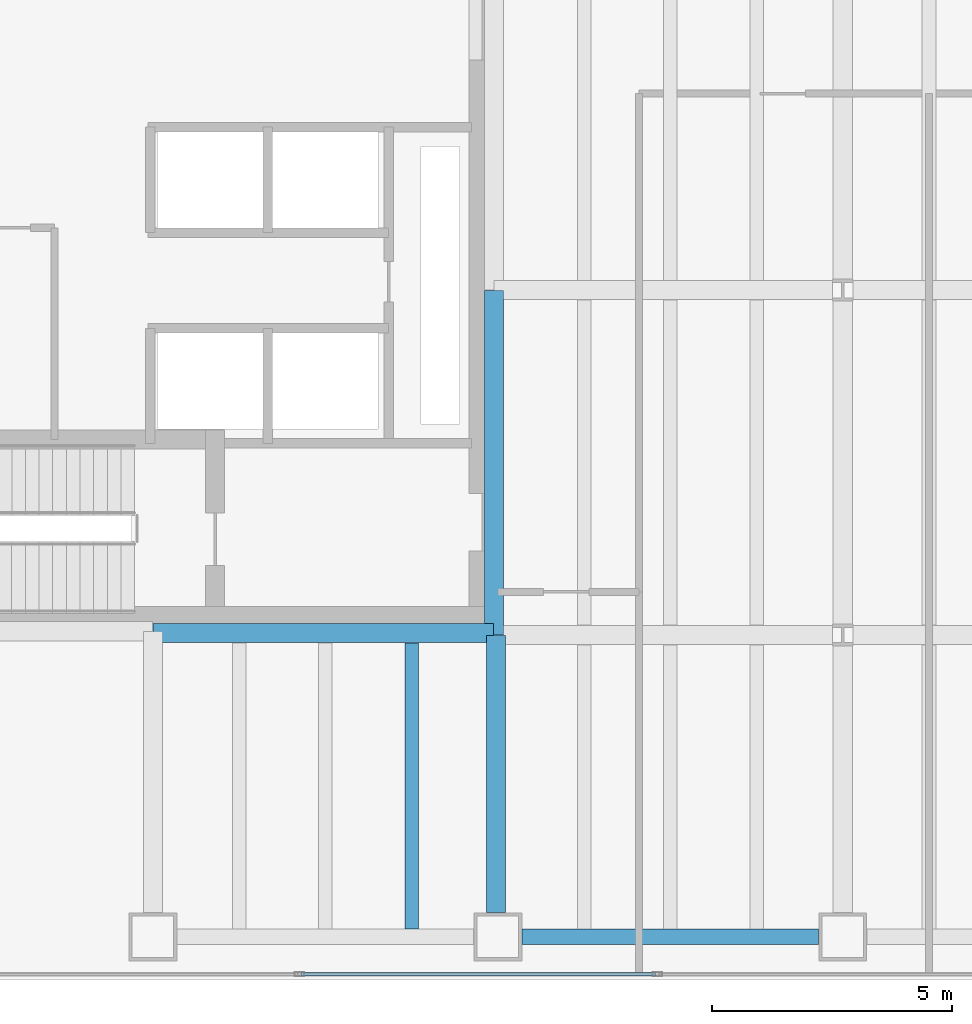
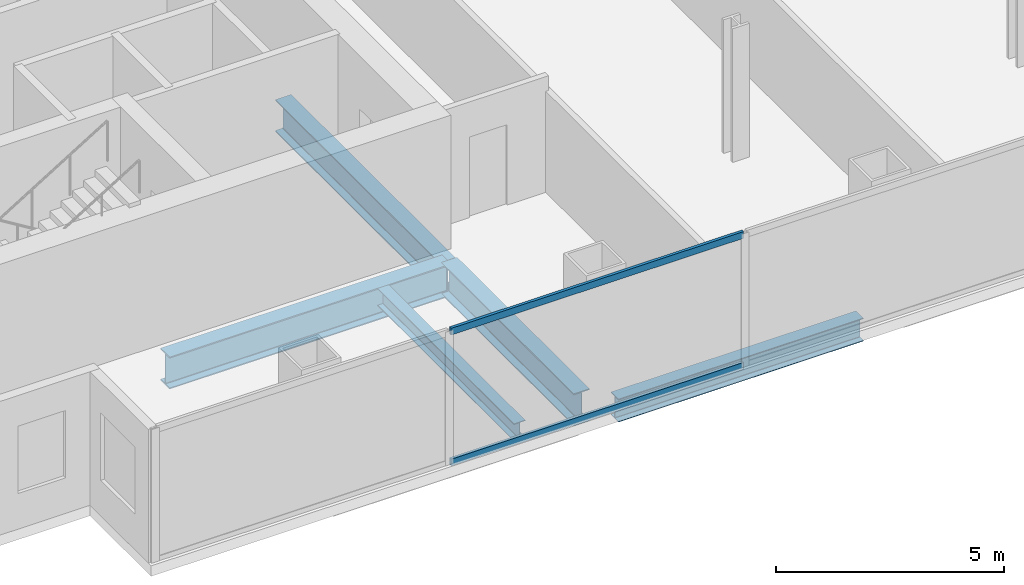
# One storey, part 3 of 23: 5 beams, 2 members, 1 element without a shape of its own.
"""IFC4 building model written with IfcOpenShell, lengths in metres."""

from ifc_helpers import new_model, si_unit, direction, frame, origin, origin_2d, place, context, subcontext, project, spatial, hollow_rectangle, i_section, extrude, material, material_profile, profile_set, type_object, element, aggregate, save


model = new_model("IFC4")

# Units and contexts
model_context = context("Model", 3, precision=1e-05, world=origin(), true_north=direction((0.0, 1.0)))
body_context = subcontext(model_context, "Body", "Model", "MODEL_VIEW")
ifc_project = project(units=[si_unit("LENGTHUNIT", "METRE"), si_unit("AREAUNIT", "SQUARE_METRE"), si_unit("VOLUMEUNIT", "CUBIC_METRE"), si_unit("PLANEANGLEUNIT", "RADIAN"), si_unit("MASSUNIT", "GRAM", prefix="KILO")], contexts=[model_context])

# Site, building, storey
site_placement = place(None, origin())
site = spatial("IfcSite", under=ifc_project, at=site_placement, CompositionType="ELEMENT")
building_placement = place(site_placement, origin())
building = spatial("IfcBuilding", under=site, at=building_placement, Name="Cobrela Telecom Tower", CompositionType="ELEMENT")
storey_placement = place(building_placement, frame((0.0, 0.0, 50.39990234375)))
storey = spatial("IfcBuildingStorey", under=building, at=storey_placement, Name="L12", CompositionType="ELEMENT", Elevation=50.39990234375)

# Beams
ifc_material_1 = material(Name="Steel ASTM A992 Grade 50", Category="steel")
ifc_material_profile_1 = material_profile(ifc_material_1, i_section(OverallWidth=0.39892578125, OverallDepth=0.85595703125, WebThickness=0.018310546875, FlangeThickness=0.029296875, FilletRadius=0.02001953125, at=origin_2d()), Name="W33X201")
ifc_profile_set_1 = profile_set([ifc_material_profile_1], Name="Steel ASTM A992 Grade 50")
beam_type_1 = type_object("IfcBeamType", Name="BM-GIRD-03", PredefinedType="USERDEFINED", material=ifc_profile_set_1)
beam_1_placement = place(storey_placement, frame((7.205078125, 7.239990234375, -0.7080078125), z_axis=(1.0, 0.0, 0.0), x_axis=(0.0, 1.0, 0.0)))
element("IfcBeam", 1, at=beam_1_placement, inside=storey, type_object=beam_type_1, Name="L12 Primary Girder X07", ObjectType="GIRDER", PredefinedType="USERDEFINED", context=body_context, shape_type="SweptSolid", body=[
    extrude(i_section(OverallWidth=0.39892578125, OverallDepth=0.85595703125, WebThickness=0.018310546875, FlangeThickness=0.029296875, FilletRadius=0.02001953125, at=origin_2d()), origin(), (0.0, 0.0, 1.0), 7.10986328125),
])
beam_2_placement = place(storey_placement, frame((14.360107421875, 1.405029296875, -0.7080078125), z_axis=(0.0, 1.0, 0.0), x_axis=(-1.0, 0.0, 0.0)))
element("IfcBeam", 2, at=beam_2_placement, inside=storey, type_object=beam_type_1, Name="L12 Primary Girder Y34", ObjectType="GIRDER", PredefinedType="USERDEFINED", context=body_context, shape_type="SweptSolid", body=[
    extrude(i_section(OverallWidth=0.39892578125, OverallDepth=0.85595703125, WebThickness=0.018310546875, FlangeThickness=0.029296875, FilletRadius=0.02001953125, at=origin_2d()), origin(), (0.0, 0.0, 1.0), 5.7900390625),
])
beam_3_placement = place(storey_placement, frame((14.320068359375, 7.205078125, -0.7080078125), z_axis=(0.0, 1.0, 0.0), x_axis=(-1.0, 0.0, 0.0)))
element("IfcBeam", 3, at=beam_3_placement, inside=storey, type_object=beam_type_1, Name="L12 Primary Girder Y35", ObjectType="GIRDER", PredefinedType="USERDEFINED", context=body_context, shape_type="SweptSolid", body=[
    extrude(i_section(OverallWidth=0.39892578125, OverallDepth=0.85595703125, WebThickness=0.018310546875, FlangeThickness=0.029296875, FilletRadius=0.02001953125, at=origin_2d()), origin(), (0.0, 0.0, 1.0), 7.18994140625),
])
ifc_material_profile_2 = material_profile(ifc_material_1, i_section(OverallWidth=0.281982421875, OverallDepth=0.467041015625, WebThickness=0.01220703125, FlangeThickness=0.01953125, FilletRadius=0.012939453125, at=origin_2d()), Name="W18X86")
ifc_profile_set_2 = profile_set([ifc_material_profile_2], Name="Steel ASTM A992 Grade 50")
beam_type_2 = type_object("IfcBeamType", Name="BM-JOIST-02", PredefinedType="JOIST", material=ifc_profile_set_2)
beam_4_placement = place(storey_placement, frame((12.60009765625, 1.0673828125, -0.513427734375), z_axis=(0.0, 1.0, 0.0), x_axis=(-1.0, 0.0, 0.0)))
element("IfcBeam", 4, at=beam_4_placement, inside=storey, type_object=beam_type_2, Name="L12 Secondary Composite Floor Beam J05", PredefinedType="JOIST", context=body_context, shape_type="SweptSolid", body=[
    extrude(i_section(OverallWidth=0.281982421875, OverallDepth=0.467041015625, WebThickness=0.01220703125, FlangeThickness=0.01953125, FilletRadius=0.012939453125, at=origin_2d()), origin(), (0.0, 0.0, 1.0), 5.968017578125),
])
ifc_material_profile_3 = material_profile(ifc_material_1, i_section(OverallWidth=0.324951171875, OverallDepth=0.612060546875, WebThickness=0.0126953125, FlangeThickness=0.01904296875, FilletRadius=0.014892578125, at=origin_2d()), Name="W24X104")
ifc_profile_set_3 = profile_set([ifc_material_profile_3], Name="Steel ASTM A992 Grade 50")
beam_type_3 = type_object("IfcBeamType", Name="BM-SPAND-02", PredefinedType="SPANDREL", material=ifc_profile_set_3)
beam_5_placement = place(storey_placement, frame((14.905029296875, 0.89990234375, -0.5859375), z_axis=(1.0, 0.0, 0.0), x_axis=(0.0, 1.0, 0.0)))
element("IfcBeam", 5, at=beam_5_placement, inside=storey, type_object=beam_type_3, Name="L12 Perimeter Spandrel X02", PredefinedType="SPANDREL", context=body_context, shape_type="SweptSolid", body=[
    extrude(i_section(OverallWidth=0.324951171875, OverallDepth=0.612060546875, WebThickness=0.0126953125, FlangeThickness=0.01904296875, FilletRadius=0.014892578125, at=origin_2d()), origin(), (0.0, 0.0, 1.0), 6.18994140625),
])

# Curtain wall, members
ifc_material_2 = material(Name="Anodized Bronze Aluminium 6063-T6", Category="aluminium")
curtain_wall_type = type_object("IfcCurtainWallType", Name="CW-SYS-DATA", PredefinedType="USERDEFINED", material=ifc_material_2)
curtain_wall_placement = place(storey_placement, origin())
curtain_wall = element("IfcCurtainWall", 6, at=curtain_wall_placement, inside=storey, type_object=curtain_wall_type, Name="L12 Unitised Bronze Curtain Wall 17", ObjectType="UNITISED CURTAIN WALL", PredefinedType="USERDEFINED")
ifc_material_profile_4 = material_profile(ifc_material_2, hollow_rectangle(XDim=0.074951171875, YDim=0.179931640625, WallThickness=0.00390625, at=origin_2d()), Name="ALU 75x180x4")
ifc_profile_set_4 = profile_set([ifc_material_profile_4], Name="Anodized Bronze Aluminium 6063-T6")
member_type = type_object("IfcMemberType", Name="CW-SYS-DATA-TRN", PredefinedType="USERDEFINED", material=ifc_profile_set_4)
member_1_placement = place(storey_placement, frame((17.68994140625, 0.1201171875, 0.03759765625), z_axis=(-1.0, 0.0, 0.0), x_axis=(0.0, -1.0, 0.0)))
member_1 = element("IfcMember", 7, at=member_1_placement, type_object=member_type, Name="CW-DATA transom 5.1", ObjectType="TRANSOM", PredefinedType="USERDEFINED", context=body_context, shape_type="SweptSolid", body=[
    extrude(hollow_rectangle(XDim=0.074951171875, YDim=0.179931640625, WallThickness=0.00390625, at=origin_2d()), origin(), (0.0, 0.0, 1.0), 7.389892578125),
])
member_2_placement = place(storey_placement, frame((17.68994140625, 0.1201171875, 3.53271484375), z_axis=(-1.0, 0.0, 0.0), x_axis=(0.0, -1.0, 0.0)))
member_2 = element("IfcMember", 8, at=member_2_placement, type_object=member_type, Name="CW-DATA transom 5.2", ObjectType="TRANSOM", PredefinedType="USERDEFINED", context=body_context, shape_type="SweptSolid", body=[
    extrude(hollow_rectangle(XDim=0.074951171875, YDim=0.179931640625, WallThickness=0.00390625, at=origin_2d()), origin(), (0.0, 0.0, 1.0), 7.389892578125),
])
aggregate(curtain_wall, [member_1, member_2])

save(model, "model.ifc")
